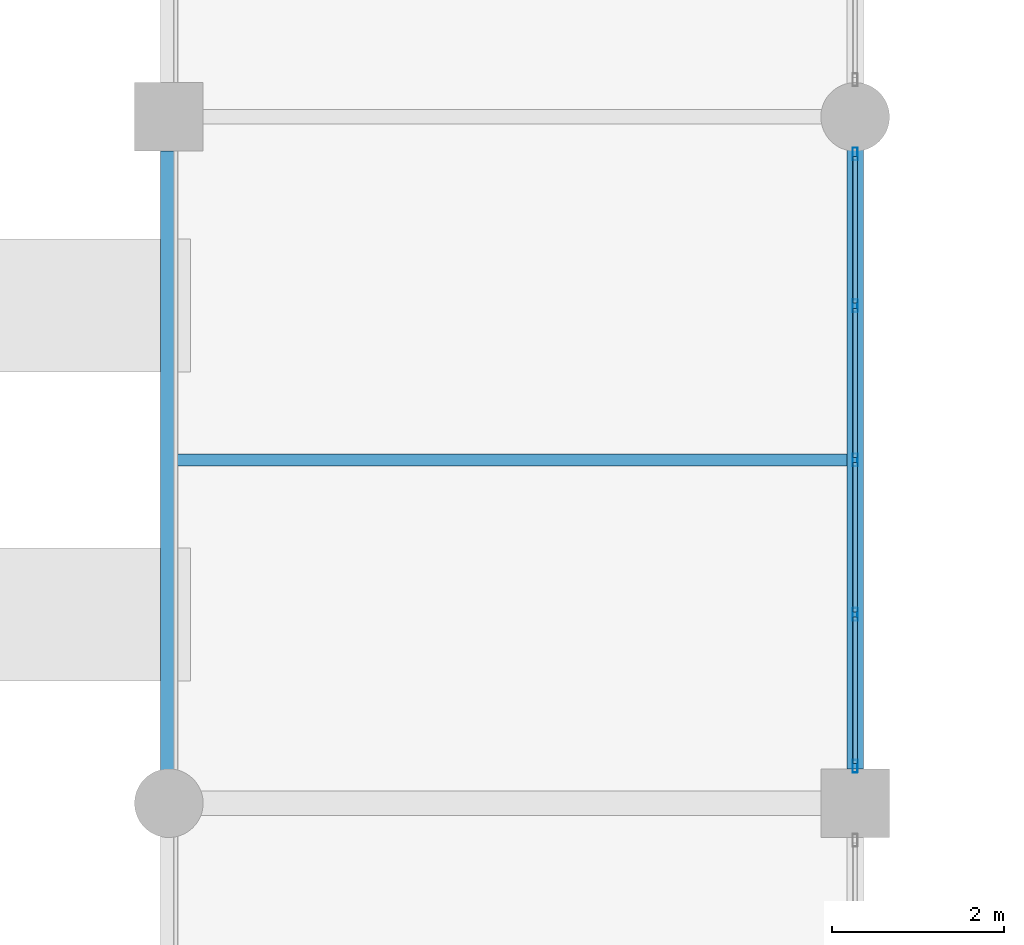
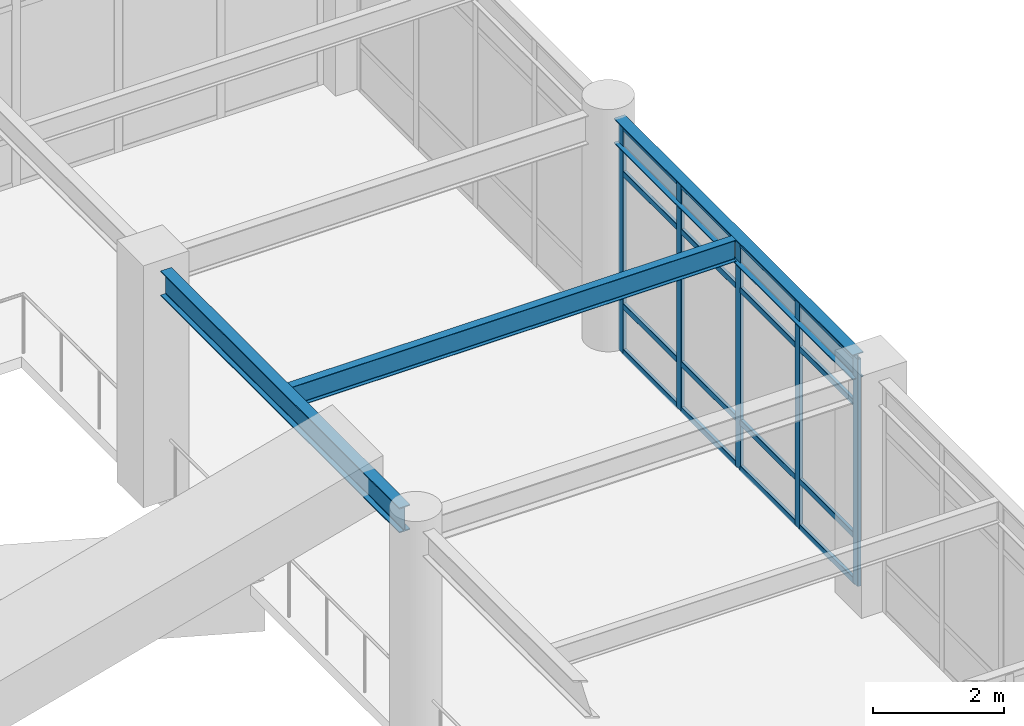
# One storey, part 31 of 75: 21 members, 3 beams, 1 element without a shape of its own.
"""IFC4 building model written with IfcOpenShell, lengths in metres."""

from ifc_helpers import new_model, si_unit, direction, frame, origin, origin_2d, place, context, subcontext, project, spatial, hollow_rectangle, i_section, extrude, material, material_profile, profile_set, type_object, element, aggregate, save


model = new_model("IFC4")

# Units and contexts
model_context = context("Model", 3, precision=1e-05, world=origin(), true_north=direction((0.0, 1.0)))
body_context = subcontext(model_context, "Body", "Model", "MODEL_VIEW")
ifc_project = project(units=[si_unit("LENGTHUNIT", "METRE"), si_unit("AREAUNIT", "SQUARE_METRE"), si_unit("VOLUMEUNIT", "CUBIC_METRE"), si_unit("PLANEANGLEUNIT", "RADIAN"), si_unit("MASSUNIT", "GRAM", prefix="KILO")], contexts=[model_context])

# Site, building, storey
site_placement = place(None, origin())
site = spatial("IfcSite", under=ifc_project, at=site_placement, CompositionType="ELEMENT")
building_placement = place(site_placement, origin())
building = spatial("IfcBuilding", under=site, at=building_placement, Name="Solmirada Galleria", CompositionType="ELEMENT")
storey_placement = place(building_placement, frame((0.0, 0.0, 19.39990234375)))
storey = spatial("IfcBuildingStorey", under=building, at=storey_placement, Name="L04", CompositionType="ELEMENT", Elevation=19.39990234375)

# Beams
ifc_material_1 = material(Name="Steel S355 / ASTM A992 Grade 50", Category="steel")
ifc_material_profile_1 = material_profile(ifc_material_1, i_section(OverallWidth=0.193115234375, OverallDepth=0.466064453125, WebThickness=0.011474609375, FlangeThickness=0.01904296875, FilletRadius=0.013916015625, at=origin_2d()), Name="W18X65")
ifc_profile_set_1 = profile_set([ifc_material_profile_1], Name="Steel S355 / ASTM A992 Grade 50")
beam_type_1 = type_object("IfcBeamType", Name="BM-GIRD-W18C", PredefinedType="BEAM", material=ifc_profile_set_1)
for number, where, z_axis, x_axis, name in (
    (1, (104.0, 56.3359375, 4.067138671875), (0.0, 1.0, 0.0), (-1.0, 0.0, 0.0), "Primary girder L05 Y(104, 56..64)"),
    (2, (112.0, 56.39990234375, 4.067138671875), (0.0, 1.0, 0.0), (-1.0, 0.0, 0.0), "Primary girder L05 Y(112, 56..64)"),
):
    element("IfcBeam", number, at=place(storey_placement, frame(where, z_axis=z_axis, x_axis=x_axis)), inside=storey, type_object=beam_type_1, Name=name, PredefinedType="BEAM", context=body_context, shape_type="SweptSolid", body=[
        extrude(i_section(OverallWidth=0.193115234375, OverallDepth=0.466064453125, WebThickness=0.011474609375, FlangeThickness=0.01904296875, FilletRadius=0.013916015625, at=origin_2d()), origin(), (0.0, 0.0, 1.0), 7.26416015625),
    ])
ifc_material_profile_2 = material_profile(ifc_material_1, i_section(OverallWidth=0.139892578125, OverallDepth=0.39892578125, WebThickness=0.00634765625, FlangeThickness=0.0087890625, FilletRadius=0.010986328125, at=origin_2d()), Name="W16X26")
ifc_profile_set_2 = profile_set([ifc_material_profile_2], Name="Steel S355 / ASTM A992 Grade 50")
beam_type_2 = type_object("IfcBeamType", Name="BM-JST-W16C", PredefinedType="JOIST", material=ifc_profile_set_2)
beam_placement = place(storey_placement, frame((104.096435546875, 60.0, 4.1005859375), z_axis=(1.0, 0.0, 0.0), x_axis=(0.0, 1.0, 0.0)))
element("IfcBeam", 3, at=beam_placement, inside=storey, type_object=beam_type_2, Name="Composite floor joist L05 (104..112, 60.0)", PredefinedType="JOIST", context=body_context, shape_type="SweptSolid", body=[
    extrude(i_section(OverallWidth=0.139892578125, OverallDepth=0.39892578125, WebThickness=0.00634765625, FlangeThickness=0.0087890625, FilletRadius=0.010986328125, at=origin_2d()), origin(), (0.0, 0.0, 1.0), 7.80712890625),
])

# Curtain wall, members
ifc_material_2 = material(Name="Impact-resistant low-E double glazing", Category="glass")
curtain_wall_type = type_object("IfcCurtainWallType", Name="CW-FZ3-L04-B4-L072", PredefinedType="NOTDEFINED", material=ifc_material_2)
curtain_wall_placement = place(storey_placement, origin())
curtain_wall = element("IfcCurtainWall", 4, at=curtain_wall_placement, inside=storey, type_object=curtain_wall_type, Name="Terrace and arcade storefront CW-L04-155", PredefinedType="NOTDEFINED")
ifc_material_3 = material(Name="Anodised aluminium framing", Category="aluminium")
ifc_material_profile_3 = material_profile(ifc_material_3, hollow_rectangle(XDim=0.06005859375, YDim=0.14990234375, WallThickness=0.00341796875, InnerFilletRadius=0.00341796875, OuterFilletRadius=0.007080078125, at=origin_2d()), Name="ALU-MULL-150X60")
ifc_profile_set_3 = profile_set([ifc_material_profile_3], Name="Anodised aluminium framing")
member_type_1 = type_object("IfcMemberType", Name="CW-MULL-150", PredefinedType="MULLION", material=ifc_profile_set_3)
member_1_placement = place(storey_placement, frame((112.0, 63.568115234375, 0.0), z_axis=(0.0, 0.0, 1.0), x_axis=(1.0, 0.0, 0.0)))
member_1 = element("IfcMember", 5, at=member_1_placement, type_object=member_type_1, Name="CW30 mullion 1", PredefinedType="MULLION", context=body_context, shape_type="SweptSolid", body=[
    extrude(hollow_rectangle(XDim=0.06005859375, YDim=0.14990234375, WallThickness=0.00341796875, InnerFilletRadius=0.00341796875, OuterFilletRadius=0.007080078125, at=origin_2d()), origin(), (0.0, 0.0, 1.0), 4.22021484375),
])
member_2_placement = place(storey_placement, frame((112.0, 61.799072265625, 0.0), z_axis=(0.0, 0.0, 1.0), x_axis=(1.0, 0.0, 0.0)))
member_2 = element("IfcMember", 6, at=member_2_placement, type_object=member_type_1, Name="CW30 mullion 2", PredefinedType="MULLION", context=body_context, shape_type="SweptSolid", body=[
    extrude(hollow_rectangle(XDim=0.06005859375, YDim=0.14990234375, WallThickness=0.00341796875, InnerFilletRadius=0.00341796875, OuterFilletRadius=0.007080078125, at=origin_2d()), origin(), (0.0, 0.0, 1.0), 4.22021484375),
])
member_3_placement = place(storey_placement, frame((112.0, 60.0, 0.0), z_axis=(0.0, 0.0, 1.0), x_axis=(1.0, 0.0, 0.0)))
member_3 = element("IfcMember", 7, at=member_3_placement, type_object=member_type_1, Name="CW30 mullion 3", PredefinedType="MULLION", context=body_context, shape_type="SweptSolid", body=[
    extrude(hollow_rectangle(XDim=0.06005859375, YDim=0.14990234375, WallThickness=0.00341796875, InnerFilletRadius=0.00341796875, OuterFilletRadius=0.007080078125, at=origin_2d()), origin(), (0.0, 0.0, 1.0), 4.22021484375),
])
member_4_placement = place(storey_placement, frame((112.0, 58.200927734375, 0.0), z_axis=(0.0, 0.0, 1.0), x_axis=(1.0, 0.0, 0.0)))
member_4 = element("IfcMember", 8, at=member_4_placement, type_object=member_type_1, Name="CW30 mullion 4", PredefinedType="MULLION", context=body_context, shape_type="SweptSolid", body=[
    extrude(hollow_rectangle(XDim=0.06005859375, YDim=0.14990234375, WallThickness=0.00341796875, InnerFilletRadius=0.00341796875, OuterFilletRadius=0.007080078125, at=origin_2d()), origin(), (0.0, 0.0, 1.0), 4.22021484375),
])
member_5_placement = place(storey_placement, frame((112.0, 56.431884765625, 0.0), z_axis=(0.0, 0.0, 1.0), x_axis=(1.0, 0.0, 0.0)))
member_5 = element("IfcMember", 9, at=member_5_placement, type_object=member_type_1, Name="CW30 mullion 5", PredefinedType="MULLION", context=body_context, shape_type="SweptSolid", body=[
    extrude(hollow_rectangle(XDim=0.06005859375, YDim=0.14990234375, WallThickness=0.00341796875, InnerFilletRadius=0.00341796875, OuterFilletRadius=0.007080078125, at=origin_2d()), origin(), (0.0, 0.0, 1.0), 4.22021484375),
])
ifc_material_profile_4 = material_profile(ifc_material_3, hollow_rectangle(XDim=0.06005859375, YDim=0.110107421875, WallThickness=0.003173828125, InnerFilletRadius=0.003173828125, OuterFilletRadius=0.00634765625, at=origin_2d()), Name="ALU-TRAN-110X60")
ifc_profile_set_4 = profile_set([ifc_material_profile_4], Name="Anodised aluminium framing")
member_type_2 = type_object("IfcMemberType", Name="CW-TRAN-110", PredefinedType="USERDEFINED", material=ifc_profile_set_4)
member_6_placement = place(storey_placement, frame((112.0, 63.5380859375, 0.030029296875), z_axis=(0.0, -1.0, 0.0), x_axis=(1.0, 0.0, 0.0)))
member_6 = element("IfcMember", 10, at=member_6_placement, type_object=member_type_2, Name="CW30 transom 1.1", ObjectType="TRANSOM", PredefinedType="USERDEFINED", context=body_context, shape_type="SweptSolid", body=[
    extrude(hollow_rectangle(XDim=0.06005859375, YDim=0.110107421875, WallThickness=0.003173828125, InnerFilletRadius=0.003173828125, OuterFilletRadius=0.00634765625, at=origin_2d()), origin(), (0.0, 0.0, 1.0), 1.708984375),
])
member_7_placement = place(storey_placement, frame((112.0, 63.5380859375, 0.880126953125), z_axis=(0.0, -1.0, 0.0), x_axis=(1.0, 0.0, 0.0)))
member_7 = element("IfcMember", 11, at=member_7_placement, type_object=member_type_2, Name="CW30 transom 1.2", ObjectType="TRANSOM", PredefinedType="USERDEFINED", context=body_context, shape_type="SweptSolid", body=[
    extrude(hollow_rectangle(XDim=0.06005859375, YDim=0.110107421875, WallThickness=0.003173828125, InnerFilletRadius=0.003173828125, OuterFilletRadius=0.00634765625, at=origin_2d()), origin(), (0.0, 0.0, 1.0), 1.708984375),
])
member_8_placement = place(storey_placement, frame((112.0, 63.5380859375, 3.340087890625), z_axis=(0.0, -1.0, 0.0), x_axis=(1.0, 0.0, 0.0)))
member_8 = element("IfcMember", 12, at=member_8_placement, type_object=member_type_2, Name="CW30 transom 1.3", ObjectType="TRANSOM", PredefinedType="USERDEFINED", context=body_context, shape_type="SweptSolid", body=[
    extrude(hollow_rectangle(XDim=0.06005859375, YDim=0.110107421875, WallThickness=0.003173828125, InnerFilletRadius=0.003173828125, OuterFilletRadius=0.00634765625, at=origin_2d()), origin(), (0.0, 0.0, 1.0), 1.708984375),
])
member_9_placement = place(storey_placement, frame((112.0, 63.5380859375, 4.190185546875), z_axis=(0.0, -1.0, 0.0), x_axis=(1.0, 0.0, 0.0)))
member_9 = element("IfcMember", 13, at=member_9_placement, type_object=member_type_2, Name="CW30 transom 1.4", ObjectType="TRANSOM", PredefinedType="USERDEFINED", context=body_context, shape_type="SweptSolid", body=[
    extrude(hollow_rectangle(XDim=0.06005859375, YDim=0.110107421875, WallThickness=0.003173828125, InnerFilletRadius=0.003173828125, OuterFilletRadius=0.00634765625, at=origin_2d()), origin(), (0.0, 0.0, 1.0), 1.708984375),
])
member_10_placement = place(storey_placement, frame((112.0, 61.76904296875, 0.030029296875), z_axis=(0.0, -1.0, 0.0), x_axis=(1.0, 0.0, 0.0)))
member_10 = element("IfcMember", 14, at=member_10_placement, type_object=member_type_2, Name="CW30 transom 2.1", ObjectType="TRANSOM", PredefinedType="USERDEFINED", context=body_context, shape_type="SweptSolid", body=[
    extrude(hollow_rectangle(XDim=0.06005859375, YDim=0.110107421875, WallThickness=0.003173828125, InnerFilletRadius=0.003173828125, OuterFilletRadius=0.00634765625, at=origin_2d()), origin(), (0.0, 0.0, 1.0), 1.739013671875),
])
member_11_placement = place(storey_placement, frame((112.0, 61.76904296875, 0.880126953125), z_axis=(0.0, -1.0, 0.0), x_axis=(1.0, 0.0, 0.0)))
member_11 = element("IfcMember", 15, at=member_11_placement, type_object=member_type_2, Name="CW30 transom 2.2", ObjectType="TRANSOM", PredefinedType="USERDEFINED", context=body_context, shape_type="SweptSolid", body=[
    extrude(hollow_rectangle(XDim=0.06005859375, YDim=0.110107421875, WallThickness=0.003173828125, InnerFilletRadius=0.003173828125, OuterFilletRadius=0.00634765625, at=origin_2d()), origin(), (0.0, 0.0, 1.0), 1.739013671875),
])
member_12_placement = place(storey_placement, frame((112.0, 61.76904296875, 3.340087890625), z_axis=(0.0, -1.0, 0.0), x_axis=(1.0, 0.0, 0.0)))
member_12 = element("IfcMember", 16, at=member_12_placement, type_object=member_type_2, Name="CW30 transom 2.3", ObjectType="TRANSOM", PredefinedType="USERDEFINED", context=body_context, shape_type="SweptSolid", body=[
    extrude(hollow_rectangle(XDim=0.06005859375, YDim=0.110107421875, WallThickness=0.003173828125, InnerFilletRadius=0.003173828125, OuterFilletRadius=0.00634765625, at=origin_2d()), origin(), (0.0, 0.0, 1.0), 1.739013671875),
])
member_13_placement = place(storey_placement, frame((112.0, 61.76904296875, 4.190185546875), z_axis=(0.0, -1.0, 0.0), x_axis=(1.0, 0.0, 0.0)))
member_13 = element("IfcMember", 17, at=member_13_placement, type_object=member_type_2, Name="CW30 transom 2.4", ObjectType="TRANSOM", PredefinedType="USERDEFINED", context=body_context, shape_type="SweptSolid", body=[
    extrude(hollow_rectangle(XDim=0.06005859375, YDim=0.110107421875, WallThickness=0.003173828125, InnerFilletRadius=0.003173828125, OuterFilletRadius=0.00634765625, at=origin_2d()), origin(), (0.0, 0.0, 1.0), 1.739013671875),
])
member_14_placement = place(storey_placement, frame((112.0, 59.969970703125, 0.030029296875), z_axis=(0.0, -1.0, 0.0), x_axis=(1.0, 0.0, 0.0)))
member_14 = element("IfcMember", 18, at=member_14_placement, type_object=member_type_2, Name="CW30 transom 3.1", ObjectType="TRANSOM", PredefinedType="USERDEFINED", context=body_context, shape_type="SweptSolid", body=[
    extrude(hollow_rectangle(XDim=0.06005859375, YDim=0.110107421875, WallThickness=0.003173828125, InnerFilletRadius=0.003173828125, OuterFilletRadius=0.00634765625, at=origin_2d()), origin(), (0.0, 0.0, 1.0), 1.739013671875),
])
member_15_placement = place(storey_placement, frame((112.0, 59.969970703125, 0.880126953125), z_axis=(0.0, -1.0, 0.0), x_axis=(1.0, 0.0, 0.0)))
member_15 = element("IfcMember", 19, at=member_15_placement, type_object=member_type_2, Name="CW30 transom 3.2", ObjectType="TRANSOM", PredefinedType="USERDEFINED", context=body_context, shape_type="SweptSolid", body=[
    extrude(hollow_rectangle(XDim=0.06005859375, YDim=0.110107421875, WallThickness=0.003173828125, InnerFilletRadius=0.003173828125, OuterFilletRadius=0.00634765625, at=origin_2d()), origin(), (0.0, 0.0, 1.0), 1.739013671875),
])
member_16_placement = place(storey_placement, frame((112.0, 59.969970703125, 3.340087890625), z_axis=(0.0, -1.0, 0.0), x_axis=(1.0, 0.0, 0.0)))
member_16 = element("IfcMember", 20, at=member_16_placement, type_object=member_type_2, Name="CW30 transom 3.3", ObjectType="TRANSOM", PredefinedType="USERDEFINED", context=body_context, shape_type="SweptSolid", body=[
    extrude(hollow_rectangle(XDim=0.06005859375, YDim=0.110107421875, WallThickness=0.003173828125, InnerFilletRadius=0.003173828125, OuterFilletRadius=0.00634765625, at=origin_2d()), origin(), (0.0, 0.0, 1.0), 1.739013671875),
])
member_17_placement = place(storey_placement, frame((112.0, 59.969970703125, 4.190185546875), z_axis=(0.0, -1.0, 0.0), x_axis=(1.0, 0.0, 0.0)))
member_17 = element("IfcMember", 21, at=member_17_placement, type_object=member_type_2, Name="CW30 transom 3.4", ObjectType="TRANSOM", PredefinedType="USERDEFINED", context=body_context, shape_type="SweptSolid", body=[
    extrude(hollow_rectangle(XDim=0.06005859375, YDim=0.110107421875, WallThickness=0.003173828125, InnerFilletRadius=0.003173828125, OuterFilletRadius=0.00634765625, at=origin_2d()), origin(), (0.0, 0.0, 1.0), 1.739013671875),
])
member_18_placement = place(storey_placement, frame((112.0, 58.1708984375, 0.030029296875), z_axis=(0.0, -1.0, 0.0), x_axis=(1.0, 0.0, 0.0)))
member_18 = element("IfcMember", 22, at=member_18_placement, type_object=member_type_2, Name="CW30 transom 4.1", ObjectType="TRANSOM", PredefinedType="USERDEFINED", context=body_context, shape_type="SweptSolid", body=[
    extrude(hollow_rectangle(XDim=0.06005859375, YDim=0.110107421875, WallThickness=0.003173828125, InnerFilletRadius=0.003173828125, OuterFilletRadius=0.00634765625, at=origin_2d()), origin(), (0.0, 0.0, 1.0), 1.708984375),
])
member_19_placement = place(storey_placement, frame((112.0, 58.1708984375, 0.880126953125), z_axis=(0.0, -1.0, 0.0), x_axis=(1.0, 0.0, 0.0)))
member_19 = element("IfcMember", 23, at=member_19_placement, type_object=member_type_2, Name="CW30 transom 4.2", ObjectType="TRANSOM", PredefinedType="USERDEFINED", context=body_context, shape_type="SweptSolid", body=[
    extrude(hollow_rectangle(XDim=0.06005859375, YDim=0.110107421875, WallThickness=0.003173828125, InnerFilletRadius=0.003173828125, OuterFilletRadius=0.00634765625, at=origin_2d()), origin(), (0.0, 0.0, 1.0), 1.708984375),
])
member_20_placement = place(storey_placement, frame((112.0, 58.1708984375, 3.340087890625), z_axis=(0.0, -1.0, 0.0), x_axis=(1.0, 0.0, 0.0)))
member_20 = element("IfcMember", 24, at=member_20_placement, type_object=member_type_2, Name="CW30 transom 4.3", ObjectType="TRANSOM", PredefinedType="USERDEFINED", context=body_context, shape_type="SweptSolid", body=[
    extrude(hollow_rectangle(XDim=0.06005859375, YDim=0.110107421875, WallThickness=0.003173828125, InnerFilletRadius=0.003173828125, OuterFilletRadius=0.00634765625, at=origin_2d()), origin(), (0.0, 0.0, 1.0), 1.708984375),
])
member_21_placement = place(storey_placement, frame((112.0, 58.1708984375, 4.190185546875), z_axis=(0.0, -1.0, 0.0), x_axis=(1.0, 0.0, 0.0)))
member_21 = element("IfcMember", 25, at=member_21_placement, type_object=member_type_2, Name="CW30 transom 4.4", ObjectType="TRANSOM", PredefinedType="USERDEFINED", context=body_context, shape_type="SweptSolid", body=[
    extrude(hollow_rectangle(XDim=0.06005859375, YDim=0.110107421875, WallThickness=0.003173828125, InnerFilletRadius=0.003173828125, OuterFilletRadius=0.00634765625, at=origin_2d()), origin(), (0.0, 0.0, 1.0), 1.708984375),
])
aggregate(curtain_wall, [member_1, member_2, member_3, member_4, member_5, member_6, member_7, member_8, member_9, member_10, member_11, member_12, member_13, member_14, member_15, member_16, member_17, member_18, member_19, member_20, member_21])

save(model, "model.ifc")
